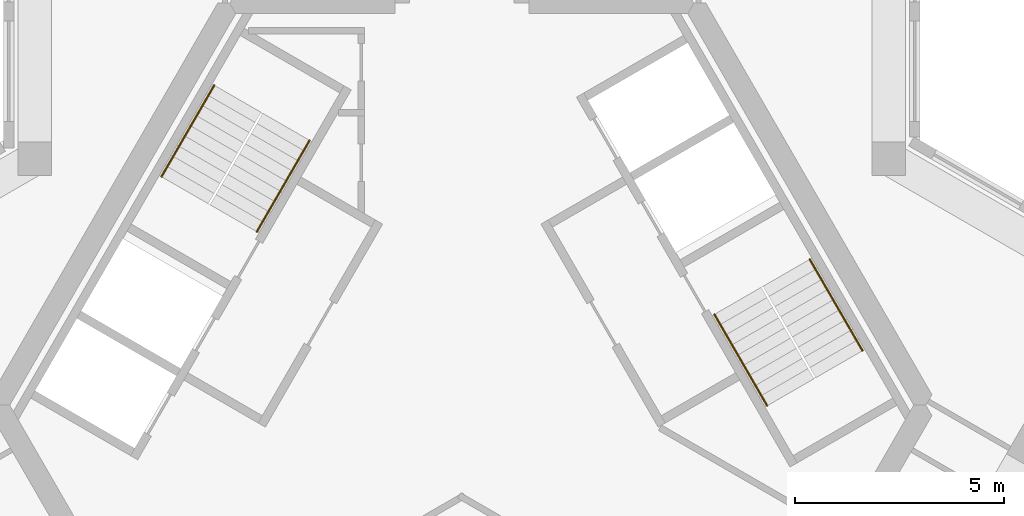
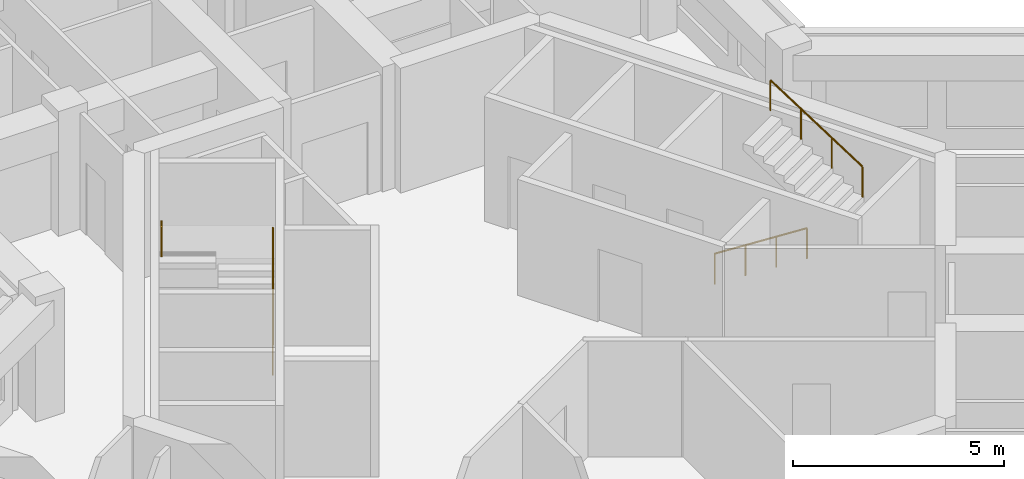
# One storey, part 14 of 14: 4 railings.
"""IFC4 building model written with IfcOpenShell, lengths in metres."""

from ifc_helpers import new_model, si_unit, direction, frame, origin, origin_2d, place, context, subcontext, project, spatial, circle, extrude, material, type_object, element, save


model = new_model("IFC4")

# Units and contexts
model_context = context("Model", 3, precision=1e-05, world=origin(), true_north=direction((0.0, 1.0)))
body_context = subcontext(model_context, "Body", "Model", "MODEL_VIEW")
ifc_project = project(units=[si_unit("LENGTHUNIT", "METRE"), si_unit("AREAUNIT", "SQUARE_METRE"), si_unit("VOLUMEUNIT", "CUBIC_METRE"), si_unit("PLANEANGLEUNIT", "RADIAN"), si_unit("MASSUNIT", "GRAM", prefix="KILO")], contexts=[model_context])

# Site, building, storey
site_placement = place(None, origin())
site = spatial("IfcSite", under=ifc_project, at=site_placement, CompositionType="ELEMENT")
building_placement = place(site_placement, origin())
building = spatial("IfcBuilding", under=site, at=building_placement, Name="Kosmar Iwan School Tower", CompositionType="ELEMENT")
storey_placement = place(building_placement, frame((0.0, 0.0, 289.0)))
storey = spatial("IfcBuildingStorey", under=building, at=storey_placement, Name="L73", CompositionType="ELEMENT", Elevation=289.0)

# Railings
ifc_material = material(Name="Black steel", Category="steel")
railing_type = type_object("IfcRailingType", Name="Stair handrail 900", PredefinedType="HANDRAIL", material=ifc_material)
railing_1_placement = place(storey_placement, frame((-4.89453125, 4.142333984375, 0.179931640625)))
element("IfcRailing", 1, at=railing_1_placement, inside=storey, type_object=railing_type, Name="Handrail ST2 flight 1", PredefinedType="HANDRAIL", context=body_context, shape_type="SweptSolid", body=[
    extrude(circle(Radius=0.02392578125, at=origin_2d()), frame((0.0, 0.0, 0.8759765625), z_axis=(0.420584145978, 0.728463801763, 0.540785970299), x_axis=(-0.866022637375, 0.500004791531, 0.0)), (0.0, 0.0, 1.0), 2.995849609375),
    extrude(circle(Radius=0.02099609375, at=origin_2d()), origin(), (0.0, 0.0, 1.0), 0.851806640625),
    extrude(circle(Radius=0.02099609375, at=origin_2d()), frame((0.419921875, 0.7275390625, 0.5400390625)), (0.0, 0.0, 1.0), 0.851806640625),
    extrude(circle(Radius=0.02099609375, at=origin_2d()), frame((0.840087890625, 1.454833984375, 1.080078125)), (0.0, 0.0, 1.0), 0.851806640625),
    extrude(circle(Radius=0.02099609375, at=origin_2d()), frame((1.260009765625, 2.182373046875, 1.6201171875)), (0.0, 0.0, 1.0), 0.851806640625),
])
railing_2_placement = place(storey_placement, frame((-5.912353515625, 7.6396484375, 1.97998046875)))
element("IfcRailing", 2, at=railing_2_placement, inside=storey, type_object=railing_type, Name="Handrail ST2 flight 2", PredefinedType="HANDRAIL", context=body_context, shape_type="SweptSolid", body=[
    extrude(circle(Radius=0.02392578125, at=origin_2d()), frame((0.0, 0.0, 0.8759765625), z_axis=(-0.420584145978, -0.728463801763, 0.540785970299), x_axis=(0.866022637375, -0.500004791531, 0.0)), (0.0, 0.0, 1.0), 2.995849609375),
    extrude(circle(Radius=0.02099609375, at=origin_2d()), origin(), (0.0, 0.0, 1.0), 0.851806640625),
    extrude(circle(Radius=0.02099609375, at=origin_2d()), frame((-0.419921875, -0.7275390625, 0.5400390625)), (0.0, 0.0, 1.0), 0.851806640625),
    extrude(circle(Radius=0.02099609375, at=origin_2d()), frame((-0.840087890625, -1.454833984375, 1.080078125)), (0.0, 0.0, 1.0), 0.851806640625),
    extrude(circle(Radius=0.02099609375, at=origin_2d()), frame((-1.260009765625, -2.182373046875, 1.6201171875)), (0.0, 0.0, 1.0), 0.851806640625),
])
railing_3_placement = place(storey_placement, frame((6.03466796875, 2.167724609375, 0.179931640625)))
element("IfcRailing", 3, at=railing_3_placement, inside=storey, type_object=railing_type, Name="Handrail ST1 flight 1", PredefinedType="HANDRAIL", context=body_context, shape_type="SweptSolid", body=[
    extrude(circle(Radius=0.02392578125, at=origin_2d()), frame((0.0, 0.0, 0.8759765625), z_axis=(0.420584145978, -0.728463801763, 0.540785970299), x_axis=(0.866022637375, 0.500004791531, 0.0)), (0.0, 0.0, 1.0), 2.995849609375),
    extrude(circle(Radius=0.02099609375, at=origin_2d()), origin(), (0.0, 0.0, 1.0), 0.851806640625),
    extrude(circle(Radius=0.02099609375, at=origin_2d()), frame((0.419921875, -0.7275390625, 0.5400390625)), (0.0, 0.0, 1.0), 0.851806640625),
    extrude(circle(Radius=0.02099609375, at=origin_2d()), frame((0.840087890625, -1.454833984375, 1.080078125)), (0.0, 0.0, 1.0), 0.851806640625),
    extrude(circle(Radius=0.02099609375, at=origin_2d()), frame((1.260009765625, -2.182373046875, 1.6201171875)), (0.0, 0.0, 1.0), 0.851806640625),
])
railing_4_placement = place(storey_placement, frame((9.572265625, 1.30029296875, 1.97998046875)))
element("IfcRailing", 4, at=railing_4_placement, inside=storey, type_object=railing_type, Name="Handrail ST1 flight 2", PredefinedType="HANDRAIL", context=body_context, shape_type="SweptSolid", body=[
    extrude(circle(Radius=0.02392578125, at=origin_2d()), frame((0.0, 0.0, 0.8759765625), z_axis=(-0.420584145978, 0.728463801763, 0.540785970299), x_axis=(-0.866022637375, -0.500004791531, 0.0)), (0.0, 0.0, 1.0), 2.995849609375),
    extrude(circle(Radius=0.02099609375, at=origin_2d()), origin(), (0.0, 0.0, 1.0), 0.851806640625),
    extrude(circle(Radius=0.02099609375, at=origin_2d()), frame((-0.419921875, 0.7275390625, 0.5400390625)), (0.0, 0.0, 1.0), 0.851806640625),
    extrude(circle(Radius=0.02099609375, at=origin_2d()), frame((-0.840087890625, 1.454833984375, 1.080078125)), (0.0, 0.0, 1.0), 0.851806640625),
    extrude(circle(Radius=0.02099609375, at=origin_2d()), frame((-1.260009765625, 2.182373046875, 1.6201171875)), (0.0, 0.0, 1.0), 0.851806640625),
])

save(model, "model.ifc")
